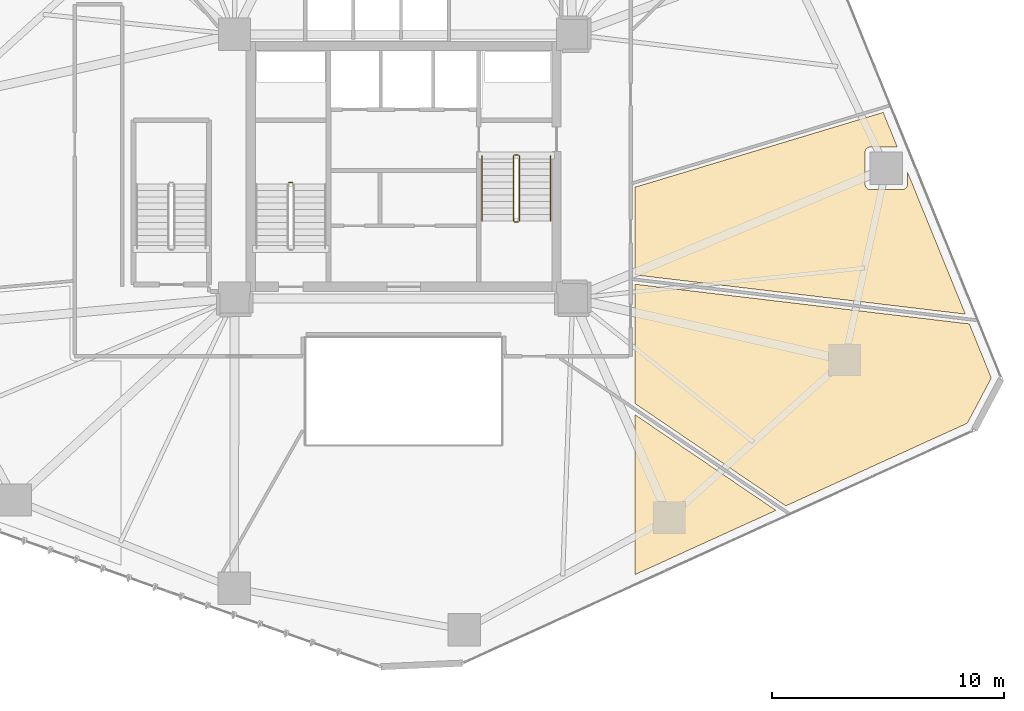
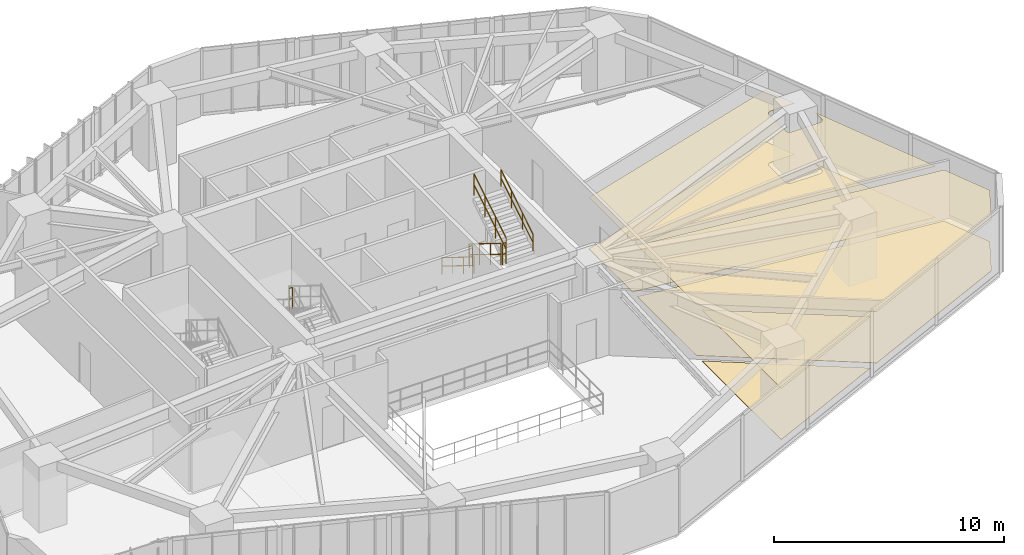
# One storey, part 23 of 24: 7 railings, 6 coverings.
"""IFC4 building model written with IfcOpenShell, lengths in metres."""

from ifc_helpers import new_model, si_unit, direction, frame, origin, origin_2d, place, context, subcontext, project, spatial, polyline, circle, outline, extrude, material, layer, layer_set, type_object, element, save


model = new_model("IFC4")

# Units and contexts
model_context = context("Model", 3, precision=1e-05, world=origin(), true_north=direction((0.0, 1.0)))
body_context = subcontext(model_context, "Body", "Model", "MODEL_VIEW")
ifc_project = project(units=[si_unit("LENGTHUNIT", "METRE"), si_unit("AREAUNIT", "SQUARE_METRE"), si_unit("VOLUMEUNIT", "CUBIC_METRE"), si_unit("PLANEANGLEUNIT", "RADIAN"), si_unit("MASSUNIT", "GRAM", prefix="KILO")], contexts=[model_context])

# Site, building, storey
site_placement = place(None, origin())
site = spatial("IfcSite", under=ifc_project, at=site_placement, CompositionType="ELEMENT")
building_placement = place(site_placement, origin())
building = spatial("IfcBuilding", under=site, at=building_placement, Name="Talar Marvaseh", CompositionType="ELEMENT")
storey_placement = place(building_placement, frame((0.0, 0.0, 31.60009765625)))
storey = spatial("IfcBuildingStorey", under=building, at=storey_placement, Name="L07", CompositionType="ELEMENT", Elevation=31.60009765625)

# Railings
ifc_material_1 = material(Name="Stainless Steel Grade 316", Category="steel")
railing_type_1 = type_object("IfcRailingType", Name="Brushed Stainless Wall Pitch Handrail 900", PredefinedType="HANDRAIL", material=ifc_material_1)
railing_1_placement = place(storey_placement, frame((29.389892578125, 31.64990234375, 0.172607421875)))
element("IfcRailing", 1, at=railing_1_placement, inside=storey, type_object=railing_type_1, Name="L07 ST-2 stair handrail 1", PredefinedType="HANDRAIL", context=body_context, shape_type="SweptSolid", body=[
    extrude(circle(Radius=0.02392578125, at=origin_2d()), frame((0.0, 0.0, 0.8759765625), z_axis=(0.0, -0.851069175582, 0.525053576669), x_axis=(1.0, 0.0, 0.0)), (0.0, 0.0, 1.0), 3.289794921875),
    extrude(circle(Radius=0.02392578125, at=origin_2d()), frame((0.0, 0.0, 0.42578125), z_axis=(0.0, -0.851069175582, 0.525053576669), x_axis=(1.0, 0.0, 0.0)), (0.0, 0.0, 1.0), 3.289794921875),
    extrude(circle(Radius=0.02099609375, at=origin_2d()), origin(), (0.0, 0.0, 1.0), 0.851806640625),
    extrude(circle(Radius=0.02099609375, at=origin_2d()), frame((0.0, -0.933349609375, 0.57568359375)), (0.0, 0.0, 1.0), 0.851806640625),
    extrude(circle(Radius=0.02099609375, at=origin_2d()), frame((0.0, -1.866455078125, 1.151611328125)), (0.0, 0.0, 1.0), 0.851806640625),
    extrude(circle(Radius=0.02099609375, at=origin_2d()), frame((0.0, -2.7998046875, 1.727294921875)), (0.0, 0.0, 1.0), 0.851806640625),
])
railing_2_placement = place(storey_placement, frame((32.35009765625, 28.85009765625, 2.072509765625)))
element("IfcRailing", 2, at=railing_2_placement, inside=storey, type_object=railing_type_1, Name="L07 ST-2 stair handrail 2", PredefinedType="HANDRAIL", context=body_context, shape_type="SweptSolid", body=[
    extrude(circle(Radius=0.02392578125, at=origin_2d()), frame((0.0, 0.0, 0.8759765625), z_axis=(0.0, 0.851069175582, 0.525053576669), x_axis=(-1.0, 0.0, 0.0)), (0.0, 0.0, 1.0), 3.289794921875),
    extrude(circle(Radius=0.02392578125, at=origin_2d()), frame((0.0, 0.0, 0.42578125), z_axis=(0.0, 0.851069175582, 0.525053576669), x_axis=(-1.0, 0.0, 0.0)), (0.0, 0.0, 1.0), 3.289794921875),
    extrude(circle(Radius=0.02099609375, at=origin_2d()), origin(), (0.0, 0.0, 1.0), 0.851806640625),
    extrude(circle(Radius=0.02099609375, at=origin_2d()), frame((0.0, 0.933349609375, 0.57568359375)), (0.0, 0.0, 1.0), 0.851806640625),
    extrude(circle(Radius=0.02099609375, at=origin_2d()), frame((0.0, 1.866455078125, 1.151611328125)), (0.0, 0.0, 1.0), 0.851806640625),
    extrude(circle(Radius=0.02099609375, at=origin_2d()), frame((0.0, 2.7998046875, 1.727294921875)), (0.0, 0.0, 1.0), 0.851806640625),
])
railing_type_2 = type_object("IfcRailingType", Name="Painted Steel Core Stair Well Guardrail 1150", PredefinedType="GUARDRAIL", material=ifc_material_1)
railing_3_placement = place(storey_placement, frame((21.2099609375, 30.5, 1.89990234375)))
element("IfcRailing", 3, at=railing_3_placement, inside=storey, type_object=railing_type_2, Name="L07 ST-1 stair guard 2", PredefinedType="GUARDRAIL", context=body_context, shape_type="SweptSolid", body=[
    extrude(circle(Radius=0.02392578125, at=origin_2d()), frame((0.0, 0.0, 1.1259765625), z_axis=(-1.0, 0.0, 0.0), x_axis=(0.0, -1.0, 0.0)), (0.0, 0.0, 1.0), 0.159912109375),
    extrude(circle(Radius=0.02392578125, at=origin_2d()), frame((0.0, 0.0, 0.55078125), z_axis=(-1.0, 0.0, 0.0), x_axis=(0.0, -1.0, 0.0)), (0.0, 0.0, 1.0), 0.159912109375),
    extrude(circle(Radius=0.02099609375, at=origin_2d()), origin(), (0.0, 0.0, 1.0), 1.101806640625),
    extrude(circle(Radius=0.02099609375, at=origin_2d()), frame((-0.159912109375, 0.0, 0.0)), (0.0, 0.0, 1.0), 1.101806640625),
])
railing_4_placement = place(storey_placement, frame((30.739990234375, 31.64990234375, 0.172607421875)))
element("IfcRailing", 4, at=railing_4_placement, inside=storey, type_object=railing_type_2, Name="L07 ST-2 stair guard 1", PredefinedType="GUARDRAIL", context=body_context, shape_type="SweptSolid", body=[
    extrude(circle(Radius=0.02392578125, at=origin_2d()), frame((0.0, 0.0, 1.1259765625), z_axis=(0.0, -0.851069175582, 0.525053576669), x_axis=(1.0, 0.0, 0.0)), (0.0, 0.0, 1.0), 3.289794921875),
    extrude(circle(Radius=0.02392578125, at=origin_2d()), frame((0.0, 0.0, 0.55078125), z_axis=(0.0, -0.851069175582, 0.525053576669), x_axis=(1.0, 0.0, 0.0)), (0.0, 0.0, 1.0), 3.289794921875),
    extrude(circle(Radius=0.02099609375, at=origin_2d()), origin(), (0.0, 0.0, 1.0), 1.101806640625),
    extrude(circle(Radius=0.02099609375, at=origin_2d()), frame((0.0, -0.933349609375, 0.57568359375)), (0.0, 0.0, 1.0), 1.101806640625),
    extrude(circle(Radius=0.02099609375, at=origin_2d()), frame((0.0, -1.866455078125, 1.151611328125)), (0.0, 0.0, 1.0), 1.101806640625),
    extrude(circle(Radius=0.02099609375, at=origin_2d()), frame((0.0, -2.7998046875, 1.727294921875)), (0.0, 0.0, 1.0), 1.101806640625),
])
railing_5_placement = place(storey_placement, frame((30.7900390625, 28.800048828125, 1.89990234375)))
element("IfcRailing", 5, at=railing_5_placement, inside=storey, type_object=railing_type_2, Name="L07 ST-2 stair guard 2", PredefinedType="GUARDRAIL", context=body_context, shape_type="SweptSolid", body=[
    extrude(circle(Radius=0.02392578125, at=origin_2d()), frame((0.0, 0.0, 1.1259765625), z_axis=(1.0, 0.0, 0.0), x_axis=(0.0, 1.0, 0.0)), (0.0, 0.0, 1.0), 0.159912109375),
    extrude(circle(Radius=0.02392578125, at=origin_2d()), frame((0.0, 0.0, 0.55078125), z_axis=(1.0, 0.0, 0.0), x_axis=(0.0, 1.0, 0.0)), (0.0, 0.0, 1.0), 0.159912109375),
    extrude(circle(Radius=0.02099609375, at=origin_2d()), origin(), (0.0, 0.0, 1.0), 1.101806640625),
    extrude(circle(Radius=0.02099609375, at=origin_2d()), frame((0.159912109375, 0.0, 0.0)), (0.0, 0.0, 1.0), 1.101806640625),
])
railing_6_placement = place(storey_placement, frame((31.0, 28.85009765625, 2.072509765625)))
element("IfcRailing", 6, at=railing_6_placement, inside=storey, type_object=railing_type_2, Name="L07 ST-2 stair guard 3", PredefinedType="GUARDRAIL", context=body_context, shape_type="SweptSolid", body=[
    extrude(circle(Radius=0.02392578125, at=origin_2d()), frame((0.0, 0.0, 1.1259765625), z_axis=(0.0, 0.851069175582, 0.525053576669), x_axis=(-1.0, 0.0, 0.0)), (0.0, 0.0, 1.0), 3.289794921875),
    extrude(circle(Radius=0.02392578125, at=origin_2d()), frame((0.0, 0.0, 0.55078125), z_axis=(0.0, 0.851069175582, 0.525053576669), x_axis=(-1.0, 0.0, 0.0)), (0.0, 0.0, 1.0), 3.289794921875),
    extrude(circle(Radius=0.02099609375, at=origin_2d()), origin(), (0.0, 0.0, 1.0), 1.101806640625),
    extrude(circle(Radius=0.02099609375, at=origin_2d()), frame((0.0, 0.933349609375, 0.57568359375)), (0.0, 0.0, 1.0), 1.101806640625),
    extrude(circle(Radius=0.02099609375, at=origin_2d()), frame((0.0, 1.866455078125, 1.151611328125)), (0.0, 0.0, 1.0), 1.101806640625),
    extrude(circle(Radius=0.02099609375, at=origin_2d()), frame((0.0, 2.7998046875, 1.727294921875)), (0.0, 0.0, 1.0), 1.101806640625),
])
railing_7_placement = place(storey_placement, frame((30.7900390625, 31.699951171875, 0.0)))
element("IfcRailing", 7, at=railing_7_placement, inside=storey, type_object=railing_type_2, Name="L07 ST-2 stair guard 4", PredefinedType="GUARDRAIL", context=body_context, shape_type="SweptSolid", body=[
    extrude(circle(Radius=0.02392578125, at=origin_2d()), frame((0.0, 0.0, 1.1259765625), z_axis=(1.0, 0.0, 0.0), x_axis=(0.0, 1.0, 0.0)), (0.0, 0.0, 1.0), 0.159912109375),
    extrude(circle(Radius=0.02392578125, at=origin_2d()), frame((0.0, 0.0, 0.55078125), z_axis=(1.0, 0.0, 0.0), x_axis=(0.0, 1.0, 0.0)), (0.0, 0.0, 1.0), 0.159912109375),
    extrude(circle(Radius=0.02099609375, at=origin_2d()), origin(), (0.0, 0.0, 1.0), 1.101806640625),
    extrude(circle(Radius=0.02099609375, at=origin_2d()), frame((0.159912109375, 0.0, 0.0)), (0.0, 0.0, 1.0), 1.101806640625),
])

# Coverings
ifc_material_2 = material(Name="Mineral Fibre Acoustic Ceiling")
ifc_layer_1 = layer(ifc_material_2, 0.02490234375)
ifc_layer_set_1 = layer_set([ifc_layer_1], Name="Mineral Fibre Acoustic Ceiling")
covering_type_1 = type_object("IfcCoveringType", Name="Perforated Mineral Fibre Acoustic Suspended Ceiling", PredefinedType="CEILING", material=ifc_layer_set_1)
covering_1_placement = place(storey_placement, frame((0.0, 0.0, 2.719970703125)))
element("IfcCovering", 8, at=covering_1_placement, inside=storey, type_object=covering_type_1, Name="L07 Curatorial Office Acoustic Ceiling", PredefinedType="CEILING", context=body_context, shape_type="SweptSolid", body=[
    extrude(outline(polyline([(36.0, 13.5791015625), (36.0, 20.47265625), (42.078369140625, 16.347900390625), (36.0, 13.5791015625)])), origin(), (0.0, 0.0, 1.0), 0.02490234375),
])
covering_2_placement = place(storey_placement, frame((0.0, 0.0, 2.719970703125)))
element("IfcCovering", 9, at=covering_2_placement, inside=storey, type_object=covering_type_1, Name="L07 Main Reading Room Acoustic Ceiling", PredefinedType="CEILING", context=body_context, shape_type="SweptSolid", body=[
    extrude(outline(polyline([(36.0, 20.9560546875), (36.0, 23.0), (36.0, 26.111572265625), (50.427490234375, 24.39892578125), (51.377685546875, 22.06494140625), (50.3427734375, 20.11279296875), (42.504638671875, 16.5419921875), (36.0, 20.9560546875)])), origin(), (0.0, 0.0, 1.0), 0.02490234375),
])
covering_3_placement = place(storey_placement, frame((0.0, 0.0, 2.719970703125)))
element("IfcCovering", 10, at=covering_3_placement, inside=storey, type_object=covering_type_1, Name="L07 Archival Research Office Acoustic Ceiling", PredefinedType="CEILING", context=body_context, shape_type="SweptSolid", body=[
    extrude(outline(polyline([(46.708984375, 33.531494140625), (47.319091796875, 32.033203125), (46.1298828125, 32.029541015625), (46.110107421875, 32.028564453125), (46.0908203125, 32.025634765625), (46.072021484375, 32.020751953125), (46.053466796875, 32.01416015625), (46.03564453125, 32.005859375), (46.01904296875, 31.99560546875), (46.00341796875, 31.98388671875), (45.98876953125, 31.970703125), (45.9755859375, 31.956298828125), (45.964111328125, 31.9404296875), (45.953857421875, 31.923583984375), (45.945556640625, 31.906005859375), (45.93896484375, 31.887451171875), (45.93408203125, 31.868408203125), (45.931396484375, 31.84912109375), (45.930419921875, 31.82958984375), (45.930419921875, 30.408447265625), (45.931396484375, 30.388916015625), (45.93408203125, 30.369384765625), (45.93896484375, 30.350341796875), (45.945556640625, 30.331787109375), (45.9541015625, 30.314208984375), (45.964111328125, 30.29736328125), (45.975830078125, 30.281494140625), (45.989013671875, 30.26708984375), (46.00341796875, 30.25390625), (46.019287109375, 30.2421875), (46.0361328125, 30.23193359375), (46.053955078125, 30.2236328125), (46.072265625, 30.217041015625), (46.09130859375, 30.212158203125), (46.11083984375, 30.20947265625), (46.13037109375, 30.20849609375), (47.551513671875, 30.20849609375), (47.5712890625, 30.20947265625), (47.590576171875, 30.212158203125), (47.609619140625, 30.217041015625), (47.6279296875, 30.2236328125), (47.645751953125, 30.23193359375), (47.66259765625, 30.241943359375), (47.67822265625, 30.253662109375), (47.69287109375, 30.266845703125), (47.7060546875, 30.28125), (47.7177734375, 30.297119140625), (47.727783203125, 30.313720703125), (47.736083984375, 30.331298828125), (47.742919921875, 30.349853515625), (47.747802734375, 30.368896484375), (47.75048828125, 30.38818359375), (47.751708984375, 30.40771484375), (47.75341796875, 30.966552734375), (50.2548828125, 24.822265625), (36.0, 26.514404296875), (36.0, 30.304443359375), (46.708984375, 33.531494140625)])), origin(), (0.0, 0.0, 1.0), 0.02490234375),
])
ifc_material_3 = material(Name="Porcelain Stoneware Tile", Category="masonry")
ifc_layer_2 = layer(ifc_material_3, 0.02001953125)
ifc_layer_set_2 = layer_set([ifc_layer_2], Name="Porcelain Stoneware Tile")
covering_type_2 = type_object("IfcCoveringType", Name="Polished Porcelain Stoneware Gallery Flooring", PredefinedType="FLOORING", material=ifc_layer_set_2)
covering_4_placement = place(storey_placement, origin())
element("IfcCovering", 11, at=covering_4_placement, inside=storey, type_object=covering_type_2, Name="L07 Curatorial Office Flooring", PredefinedType="FLOORING", context=body_context, shape_type="SweptSolid", body=[
    extrude(outline(polyline([(36.0, 13.5791015625), (36.0, 20.47265625), (42.078369140625, 16.347900390625), (36.0, 13.5791015625)])), origin(), (0.0, 0.0, 1.0), 0.02001953125),
])
covering_5_placement = place(storey_placement, origin())
element("IfcCovering", 12, at=covering_5_placement, inside=storey, type_object=covering_type_2, Name="L07 Main Reading Room Flooring", PredefinedType="FLOORING", context=body_context, shape_type="SweptSolid", body=[
    extrude(outline(polyline([(36.0, 20.9560546875), (36.0, 23.0), (36.0, 26.111572265625), (50.427490234375, 24.39892578125), (51.377685546875, 22.06494140625), (50.3427734375, 20.11279296875), (42.504638671875, 16.5419921875), (36.0, 20.9560546875)])), origin(), (0.0, 0.0, 1.0), 0.02001953125),
])
covering_6_placement = place(storey_placement, origin())
element("IfcCovering", 13, at=covering_6_placement, inside=storey, type_object=covering_type_2, Name="L07 Archival Research Office Flooring", PredefinedType="FLOORING", context=body_context, shape_type="SweptSolid", body=[
    extrude(outline(polyline([(46.708984375, 33.531494140625), (47.319091796875, 32.033203125), (46.1298828125, 32.029541015625), (46.110107421875, 32.028564453125), (46.0908203125, 32.025634765625), (46.072021484375, 32.020751953125), (46.053466796875, 32.01416015625), (46.03564453125, 32.005859375), (46.01904296875, 31.99560546875), (46.00341796875, 31.98388671875), (45.98876953125, 31.970703125), (45.9755859375, 31.956298828125), (45.964111328125, 31.9404296875), (45.953857421875, 31.923583984375), (45.945556640625, 31.906005859375), (45.93896484375, 31.887451171875), (45.93408203125, 31.868408203125), (45.931396484375, 31.84912109375), (45.930419921875, 31.82958984375), (45.930419921875, 30.408447265625), (45.931396484375, 30.388916015625), (45.93408203125, 30.369384765625), (45.93896484375, 30.350341796875), (45.945556640625, 30.331787109375), (45.9541015625, 30.314208984375), (45.964111328125, 30.29736328125), (45.975830078125, 30.281494140625), (45.989013671875, 30.26708984375), (46.00341796875, 30.25390625), (46.019287109375, 30.2421875), (46.0361328125, 30.23193359375), (46.053955078125, 30.2236328125), (46.072265625, 30.217041015625), (46.09130859375, 30.212158203125), (46.11083984375, 30.20947265625), (46.13037109375, 30.20849609375), (47.551513671875, 30.20849609375), (47.5712890625, 30.20947265625), (47.590576171875, 30.212158203125), (47.609619140625, 30.217041015625), (47.6279296875, 30.2236328125), (47.645751953125, 30.23193359375), (47.66259765625, 30.241943359375), (47.67822265625, 30.253662109375), (47.69287109375, 30.266845703125), (47.7060546875, 30.28125), (47.7177734375, 30.297119140625), (47.727783203125, 30.313720703125), (47.736083984375, 30.331298828125), (47.742919921875, 30.349853515625), (47.747802734375, 30.368896484375), (47.75048828125, 30.38818359375), (47.751708984375, 30.40771484375), (47.75341796875, 30.966552734375), (50.2548828125, 24.822265625), (36.0, 26.514404296875), (36.0, 30.304443359375), (46.708984375, 33.531494140625)])), origin(), (0.0, 0.0, 1.0), 0.02001953125),
])

save(model, "model.ifc")
